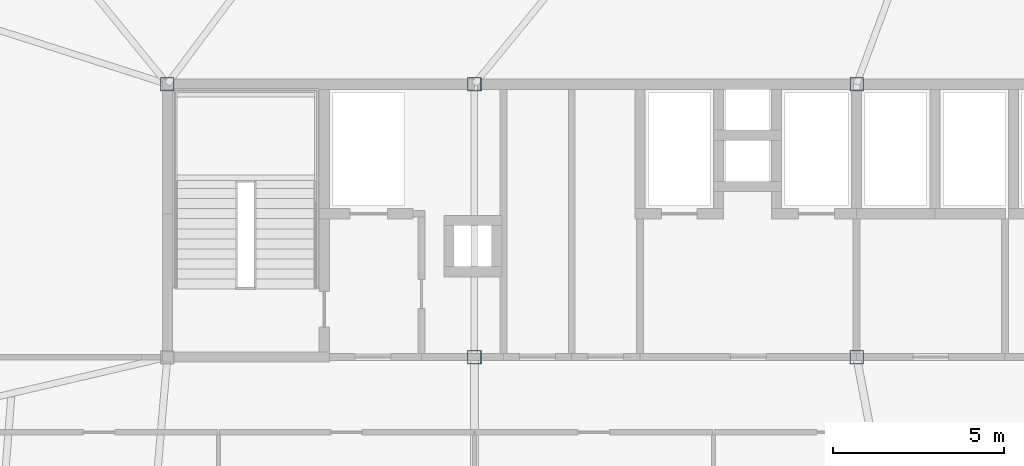
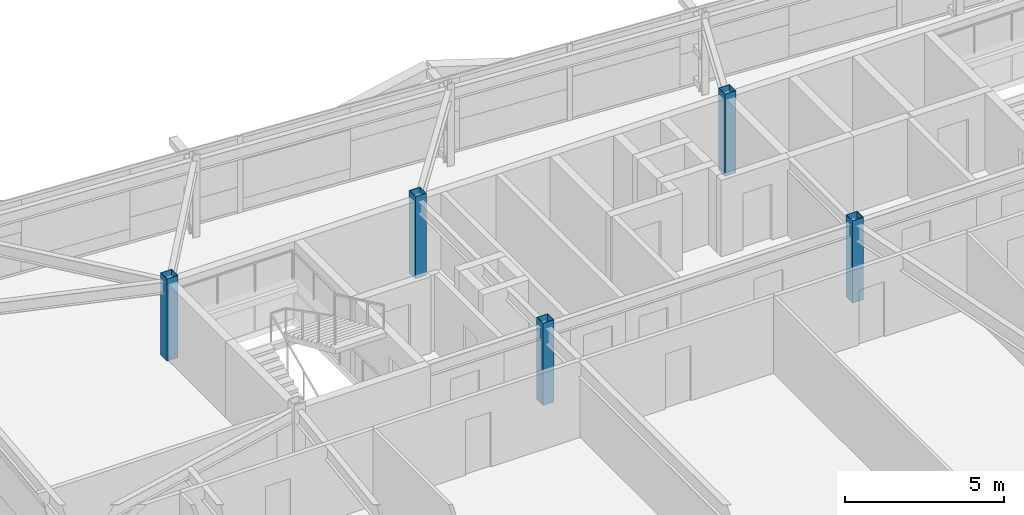
# One storey, part 2 of 39: 5 columns.
"""IFC4 building model written with IfcOpenShell, lengths in metres."""

import ifcopenshell
import ifcopenshell.guid

model = None  # the IFC model being written
_history = None  # IfcOwnerHistory: only IFC2X3 demands one
_inside = {}  # id of a spatial element -> (the spatial element, [elements in it])
_under = {}  # id of a project, library or spatial element -> (it, [spatial elements below it])
_declared = {}  # id of a project -> (the project, [libraries it declares])
_typed = {}  # id of a type object -> (the type object, [elements of that type])
_made_of = {}  # id of a material, layer set ... -> (it, [elements and type objects made of it])


def new_model(schema):
    """Start an empty IFC model of exactly this schema.

    Asked for "IFC4X3", IfcOpenShell would pick the latest addendum, in which some entities
    have other attributes; the version numbers below select the first issue.
    IFC2X3 requires an IfcOwnerHistory on every rooted entity: one is made here for all.
    """
    global model, _history
    if schema == "IFC4X3":
        model = ifcopenshell.file(schema_version=(4, 3, 0, 0))
    else:
        model = ifcopenshell.file(schema=schema)
    _inside.clear()
    _under.clear()
    _declared.clear()
    _typed.clear()
    _made_of.clear()
    _history = None
    if model.schema == "IFC2X3":
        org = make("IfcOrganization", Name="unknown")
        user = make(
            "IfcPersonAndOrganization",
            ThePerson=make("IfcPerson", FamilyName="unknown"),
            TheOrganization=org,
        )
        app = make(
            "IfcApplication",
            ApplicationDeveloper=org,
            Version="unknown",
            ApplicationFullName="unknown",
            ApplicationIdentifier="unknown",
        )
        _history = make(
            "IfcOwnerHistory",
            OwningUser=user,
            OwningApplication=app,
            ChangeAction="ADDED",
            CreationDate=0,
        )
    return model


def make(cls, **values):
    """One entity of the class cls with the attributes given. An attribute that is None is left unset."""
    return model.create_entity(
        cls, **{name: value for name, value in values.items() if value is not None}
    )


def rooted(cls, **values):
    """An entity with a GlobalId (a new one), such as an element, a storey or a relation."""
    return make(cls, GlobalId=ifcopenshell.guid.new(), OwnerHistory=_history, **values)


def si_unit(unit_type, name, prefix=None):
    """IfcSIUnit, for example si_unit("LENGTHUNIT", "METRE", prefix="MILLI")."""
    return make("IfcSIUnit", UnitType=unit_type, Prefix=prefix, Name=name)


def assignment(units):
    """IfcUnitAssignment: the units of a project."""
    return None if units is None else make("IfcUnitAssignment", Units=units)


def point(xyz):
    """IfcCartesianPoint."""
    return None if xyz is None else make("IfcCartesianPoint", Coordinates=xyz)


def direction(xyz):
    """IfcDirection."""
    return None if xyz is None else make("IfcDirection", DirectionRatios=xyz)


def frame(location, z_axis=None, x_axis=None):
    """IfcAxis2Placement3D, a coordinate frame: its origin and axes. An axis left out is left unset."""
    return make(
        "IfcAxis2Placement3D",
        Location=point(location),
        Axis=direction(z_axis),
        RefDirection=direction(x_axis),
    )


def frame_2d(location, x_axis=None):
    """IfcAxis2Placement2D, a coordinate frame in the plane: its origin and x axis."""
    return make(
        "IfcAxis2Placement2D", Location=point(location), RefDirection=direction(x_axis)
    )


def origin():
    """The frame at (0, 0, 0) with its axes left unset."""
    return frame((0.0, 0.0, 0.0))


def origin_2d():
    """The frame at (0, 0) in the plane with its x axis left unset."""
    return frame_2d((0.0, 0.0))


def place(relative_to, where):
    """IfcLocalPlacement: puts the frame where relative to a parent placement (None: the world)."""
    return make(
        "IfcLocalPlacement", PlacementRelTo=relative_to, RelativePlacement=where
    )


def context(
    kind, dimensions, precision=None, world=None, true_north=None, identifier=None
):
    """IfcGeometricRepresentationContext, for example the 3D "Model" context."""
    return make(
        "IfcGeometricRepresentationContext",
        ContextIdentifier=identifier,
        ContextType=kind,
        CoordinateSpaceDimension=dimensions,
        Precision=precision,
        WorldCoordinateSystem=world,
        TrueNorth=true_north,
    )


def subcontext(parent, identifier, kind, view, scale=None):
    """IfcGeometricRepresentationSubContext, for example "Body" below "Model"."""
    return make(
        "IfcGeometricRepresentationSubContext",
        ContextIdentifier=identifier,
        ContextType=kind,
        ParentContext=parent,
        TargetScale=scale,
        TargetView=view,
    )


def project(units=None, contexts=None):
    """IfcProject with its units and contexts."""
    return rooted(
        "IfcProject",
        Name="project",
        RepresentationContexts=contexts,
        UnitsInContext=assignment(units),
    )


def spatial(cls, under=None, at=None, **own):
    """A site, building, storey or space (cls), placed at a placement, below another one or the project."""
    s = rooted(cls, ObjectPlacement=at, **own)
    if under is not None:
        _under.setdefault(under.id(), (under, []))[1].append(s)
    return s


def profile(cls, at=None, kind="AREA", **sizes):
    """A parametric profile (cls). Its sizes go by their IFC names, for example OverallWidth=200.0."""
    return make(cls, ProfileType=kind, Position=at, **sizes)


def hollow_rectangle(**sizes):
    """IfcRectangleHollowProfileDef."""
    return profile("IfcRectangleHollowProfileDef", **sizes)


def extrude(swept, where, along, depth):
    """IfcExtrudedAreaSolid: the profile swept, set in the frame where, extruded along a direction by depth."""
    return make(
        "IfcExtrudedAreaSolid",
        SweptArea=swept,
        Position=where,
        ExtrudedDirection=direction(along),
        Depth=depth,
    )


def shape(context_of_items, identifier, shape_type, items):
    """IfcShapeRepresentation: the items that make up one representation, for example the "Body"."""
    return make(
        "IfcShapeRepresentation",
        ContextOfItems=context_of_items,
        RepresentationIdentifier=identifier,
        RepresentationType=shape_type,
        Items=items,
    )


def source(mapping_origin, context_of_items, identifier, shape_type, items):
    """IfcRepresentationMap: a shape defined once, which mapped items show again and again."""
    return make(
        "IfcRepresentationMap",
        MappingOrigin=mapping_origin,
        MappedRepresentation=shape(context_of_items, identifier, shape_type, items),
    )


def transform(
    local_origin,
    x_axis=None,
    y_axis=None,
    z_axis=None,
    scale=None,
    scale2=None,
    scale3=None,
    uniform=True,
):
    """IfcCartesianTransformationOperator3D, or its non-uniform kind. x_axis, y_axis, z_axis: its Axis1, 2, 3."""
    if uniform:
        return make(
            "IfcCartesianTransformationOperator3D",
            Axis1=direction(x_axis),
            Axis2=direction(y_axis),
            LocalOrigin=point(local_origin),
            Scale=scale,
            Axis3=direction(z_axis),
        )
    return make(
        "IfcCartesianTransformationOperator3DnonUniform",
        Axis1=direction(x_axis),
        Axis2=direction(y_axis),
        LocalOrigin=point(local_origin),
        Scale=scale,
        Axis3=direction(z_axis),
        Scale2=scale2,
        Scale3=scale3,
    )


def mapped(mapping_source, mapping_target):
    """IfcMappedItem: shows the shape of a source again, moved by a transform."""
    return make(
        "IfcMappedItem", MappingSource=mapping_source, MappingTarget=mapping_target
    )


def material(Name=None, Category=None):
    """IfcMaterial."""
    return make("IfcMaterial", Name=Name, Category=Category)


def material_profile(
    of_material, cross_section, Name=None, Category=None, Priority=None
):
    """IfcMaterialProfile: a cross section and its material."""
    return make(
        "IfcMaterialProfile",
        Name=Name,
        Material=of_material,
        Profile=cross_section,
        Priority=Priority,
        Category=Category,
    )


def profile_set(profiles, Name=None, composite=None):
    """IfcMaterialProfileSet."""
    return make(
        "IfcMaterialProfileSet",
        Name=Name,
        MaterialProfiles=profiles,
        CompositeProfile=composite,
    )


def made_of(thing, what):
    """Note that an element or type object is made of a material, layer set ...; save() writes the relation."""
    if what is not None:
        _made_of.setdefault(what.id(), (what, []))[1].append(thing)
    return thing


def type_object(cls, material=None, **own):
    """A type object (cls), such as IfcWallType, which elements share."""
    return made_of(rooted(cls, **own), material)


def element(
    cls,
    number,
    at=None,
    inside=None,
    cuts=None,
    type_object=None,
    material=None,
    context=None,
    identifier="Body",
    shape_type=None,
    held_by="IfcProductDefinitionShape",
    body=None,
    shapes=None,
    **own,
):
    """One element of the class cls, such as IfcWall. Its Tag is "e" and its number.

    at: its placement. inside: the storey or other place that contains it. cuts: it is an
    opening in that element (IfcRelVoidsElement). A single representation is given by context,
    identifier, shape_type and body (its items); several are given by shapes. held_by: the class
    of the entity that holds the representations. save() writes the other relations.
    """
    e = rooted(cls, Tag="e%d" % number, ObjectPlacement=at, **own)
    if body is not None:
        shapes = [shape(context, identifier, shape_type, body)]
    if shapes is not None:
        e.Representation = make(held_by, Representations=shapes)
    if inside is not None:
        _inside.setdefault(inside.id(), (inside, []))[1].append(e)
    if cuts is not None:
        rooted(
            "IfcRelVoidsElement", RelatingBuildingElement=cuts, RelatedOpeningElement=e
        )
    if type_object is not None:
        _typed.setdefault(type_object.id(), (type_object, []))[1].append(e)
    return made_of(e, material)


def aggregate(whole, parts):
    """IfcRelAggregates: a whole, such as a stair, and the parts it consists of."""
    return rooted("IfcRelAggregates", RelatingObject=whole, RelatedObjects=parts)


def save(model, path):
    """Write the relations noted so far, then the file.

    IfcRelAggregates (storeys below a building ...), IfcRelContainedInSpatialStructure (elements
    in a storey), IfcRelDefinesByType, IfcRelAssociatesMaterial and IfcRelDeclares: one each for
    every whole, place, type object, material and project.
    """
    for whole, parts in _under.values():
        aggregate(whole, parts)
    for where, things in _inside.values():
        rooted(
            "IfcRelContainedInSpatialStructure",
            RelatedElements=things,
            RelatingStructure=where,
        )
    for kind, things in _typed.values():
        rooted("IfcRelDefinesByType", RelatedObjects=things, RelatingType=kind)
    for what, things in _made_of.values():
        rooted("IfcRelAssociatesMaterial", RelatedObjects=things, RelatingMaterial=what)
    for by, libraries in _declared.values():
        rooted("IfcRelDeclares", RelatingContext=by, RelatedDefinitions=libraries)
    model.write(path)


model = new_model("IFC4")

# Units and contexts
model_context = context("Model", 3, precision=1e-05, world=origin(), true_north=direction((0.0, 1.0)))
body_context = subcontext(model_context, "Body", "Model", "MODEL_VIEW")
ifc_project = project(units=[si_unit("LENGTHUNIT", "METRE"), si_unit("AREAUNIT", "SQUARE_METRE"), si_unit("VOLUMEUNIT", "CUBIC_METRE"), si_unit("PLANEANGLEUNIT", "RADIAN"), si_unit("MASSUNIT", "GRAM", prefix="KILO")], contexts=[model_context])

# Site, building, storey
site_placement = place(None, origin())
site = spatial("IfcSite", under=ifc_project, at=site_placement, CompositionType="ELEMENT")
building_placement = place(site_placement, origin())
building = spatial("IfcBuilding", under=site, at=building_placement, Name="Taldren Reach Tower", CompositionType="ELEMENT")
storey_placement = place(building_placement, frame((0.0, 0.0, 155.050048828125)))
storey = spatial("IfcBuildingStorey", under=building, at=storey_placement, Name="L47", CompositionType="ELEMENT", Elevation=155.050048828125)

# Columns
ifc_material = material(Name="Steel Gr 450 (C450L0)", Category="steel")
ifc_material_profile = material_profile(ifc_material, hollow_rectangle(XDim=0.39990234375, YDim=0.39990234375, WallThickness=0.01611328125, at=origin_2d()), Name="400x400x16.0SHS")
ifc_profile_set = profile_set([ifc_material_profile], Name="Steel Gr 450 (C450L0)")
column_type = type_object("IfcColumnType", Name="COL-SHS400", PredefinedType="COLUMN", material=ifc_profile_set)
shared_shape = source(origin(), body_context, "Body", "SweptSolid", [
    extrude(hollow_rectangle(XDim=0.39990234375, YDim=0.39990234375, WallThickness=0.01611328125, at=origin_2d()), origin(), (0.0, 0.0, 1.0), 3.14990234375),
])
for number, where, z_axis, x_axis, name in (
    (1, (28.0, 24.0, 0.0), (0.0, 0.0, 1.0), (1.0, 0.0, 0.0), "Mega column MC-C2 L47"),
    (2, (39.199951171875, 24.0, 0.0), (0.0, 0.0, 1.0), (1.0, 0.0, 0.0), "Mega column MC-C3 L47"),
    (3, (19.0, 32.0, 0.0), (0.0, 0.0, 1.0), (1.0, 0.0, 0.0), "Mega column MC-C5 L47"),
    (4, (28.0, 32.0, 0.0), (0.0, 0.0, 1.0), (1.0, 0.0, 0.0), "Mega column MC-C6 L47"),
    (5, (39.199951171875, 32.0, 0.0), (0.0, 0.0, 1.0), (1.0, 0.0, 0.0), "Mega column MC-C7 L47"),
):
    element("IfcColumn", number, at=place(storey_placement, frame(where, z_axis=z_axis, x_axis=x_axis)), inside=storey, type_object=column_type, Name=name, PredefinedType="COLUMN", context=body_context, shape_type="MappedRepresentation", body=[
        mapped(shared_shape, transform((0.0, 0.0, 0.0), scale=1.0)),
    ])

save(model, "model.ifc")
